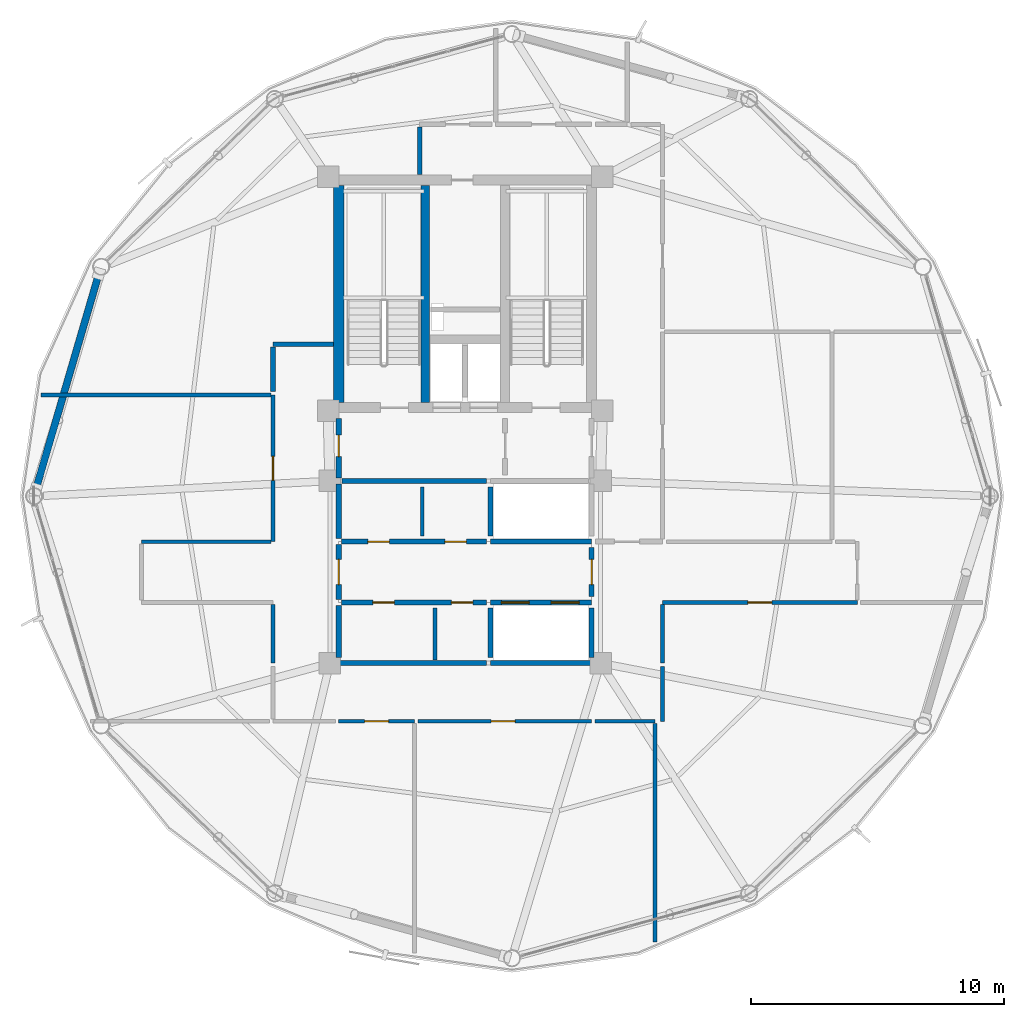
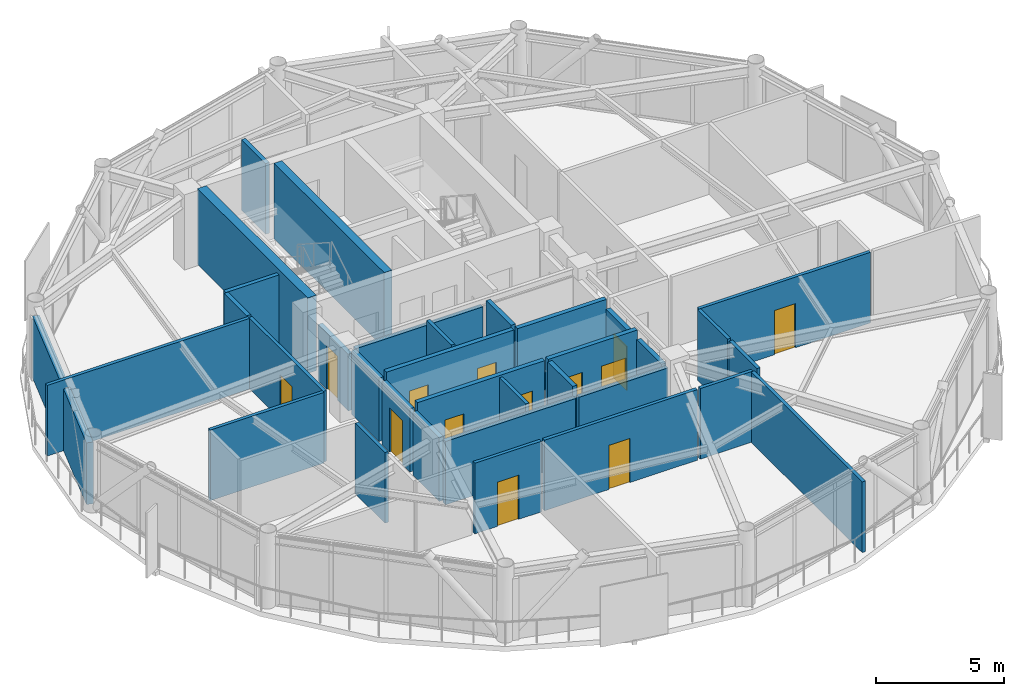
# One storey, part 23 of 28: 34 walls, 13 doors, 13 openings.
"""IFC4 building model written with IfcOpenShell, lengths in metres."""

from ifc_helpers import new_model, si_unit, direction, frame, frame_2d, origin, place, context, subcontext, project, spatial, rectangle, extrude, material, layer, layer_set, type_object, element, fill, save


model = new_model("IFC4")

# Units and contexts
model_context = context("Model", 3, precision=1e-05, world=origin(), true_north=direction((0.0, 1.0)))
body_context = subcontext(model_context, "Body", "Model", "MODEL_VIEW")
ifc_project = project(units=[si_unit("LENGTHUNIT", "METRE"), si_unit("AREAUNIT", "SQUARE_METRE"), si_unit("VOLUMEUNIT", "CUBIC_METRE"), si_unit("PLANEANGLEUNIT", "RADIAN"), si_unit("MASSUNIT", "GRAM", prefix="KILO")], contexts=[model_context])

# Site, building, storey
site_placement = place(None, origin())
site = spatial("IfcSite", under=ifc_project, at=site_placement, CompositionType="ELEMENT")
building_placement = place(site_placement, origin())
building = spatial("IfcBuilding", under=site, at=building_placement, Name="Varnakorn Sky Granary", CompositionType="ELEMENT")
storey_placement = place(building_placement, frame((0.0, 0.0, 225.60009765625)))
storey = spatial("IfcBuildingStorey", under=building, at=storey_placement, Name="L57", CompositionType="ELEMENT", Elevation=225.60009765625)

# Walls
ifc_material_1 = material(Name="Concrete C50/60", Category="concrete")
ifc_layer_1 = layer(ifc_material_1, 0.35009765625, Name="Concrete C50/60")
ifc_layer_set_1 = layer_set([ifc_layer_1], Name="Concrete C50/60")
wall_type_1 = type_object("IfcWallType", Name="WT-CW-INT-350", PredefinedType="SHEAR", material=ifc_layer_set_1)
wall_1_placement = place(storey_placement, frame((1.419921875, 3.7099609375, 0.0), z_axis=(0.0, 0.0, 1.0), x_axis=(0.0, 1.0, 0.0)))
element("IfcWall", 1, at=wall_1_placement, inside=storey, type_object=wall_type_1, Name="Stair ST-1 Core Wall L57", PredefinedType="SHEAR", context=body_context, shape_type="SweptSolid", body=[
    extrude(rectangle(XDim=8.580078125, YDim=0.35009765625, at=frame_2d((4.2900390625, 0.0))), origin(), (0.0, 0.0, 1.0), 3.591796875),
])
ifc_layer_2 = layer(ifc_material_1, 0.39990234375, Name="Concrete C50/60")
ifc_layer_set_2 = layer_set([ifc_layer_2], Name="Concrete C50/60")
wall_type_2 = type_object("IfcWallType", Name="WT-CW-SHEAR-400", PredefinedType="SHEAR", material=ifc_layer_set_2)
wall_2_placement = place(storey_placement, frame((-2.0, 3.7099609375, 0.0), z_axis=(0.0, 0.0, 1.0), x_axis=(0.0, 1.0, 0.0)))
element("IfcWall", 2, at=wall_2_placement, inside=storey, type_object=wall_type_2, Name="Core West Shear Wall L57", PredefinedType="SHEAR", context=body_context, shape_type="SweptSolid", body=[
    extrude(rectangle(XDim=8.580078125, YDim=0.39990234375, at=frame_2d((4.2900390625, 0.0))), origin(), (0.0, 0.0, 1.0), 3.591796875),
])
ifc_material_2 = material(Name="Precast concrete C40/50", Category="concrete")
ifc_layer_3 = layer(ifc_material_2, 0.280029296875, Name="Precast concrete C40/50")
ifc_layer_set_3 = layer_set([ifc_layer_3], Name="Precast concrete C40/50")
wall_type_3 = type_object("IfcWallType", Name="WT-EW-CRN-280", PredefinedType="SOLIDWALL", material=ifc_layer_set_3)
wall_3_placement = place(storey_placement, frame((-13.97216796875, 0.273681640625, 0.0), z_axis=(0.0, 0.0, 1.0), x_axis=(0.280370573109, 0.95989183856, 0.0)))
element("IfcWall", 3, at=wall_3_placement, inside=storey, type_object=wall_type_3, Name="Agritech Insulated Precast Facade Wall L57-P06", PredefinedType="SOLIDWALL", context=body_context, shape_type="SweptSolid", body=[
    extrude(rectangle(XDim=8.87939453125, YDim=0.280029296875, at=frame_2d((4.439697265625, 0.0))), origin(), (0.0, 0.0, 1.0), 2.929931640625),
])

# Wall, opening, door
ifc_material_3 = material(Name="Autoclaved Aerated Concrete Blockwork", Category="masonry")
ifc_layer_4 = layer(ifc_material_3, 0.199951171875, Name="Autoclaved Aerated Concrete Blockwork")
ifc_layer_set_4 = layer_set([ifc_layer_4], Name="Autoclaved Aerated Concrete Blockwork")
wall_type_4 = type_object("IfcWallType", Name="WT-FIRE-200", PredefinedType="MOVABLE", material=ifc_layer_set_4)
wall_4_placement = place(storey_placement, frame((-2.0, 0.719970703125, 0.0), z_axis=(0.0, 0.0, 1.0), x_axis=(0.0, 1.0, 0.0)))
wall_4 = element("IfcWall", 4, at=wall_4_placement, inside=storey, type_object=wall_type_4, Name="Interior Partition Wall L57-012", PredefinedType="MOVABLE", context=body_context, shape_type="SweptSolid", body=[
    extrude(rectangle(XDim=2.35009765625, YDim=0.199951171875, at=frame_2d((1.175048828125, 0.0))), origin(), (0.0, 0.0, 1.0), 2.69189453125),
])
opening_1_placement = place(wall_4_placement, frame((0.844970703125, 0.0, 0.0)))
opening_1 = element("IfcOpeningElement", 5, at=opening_1_placement, cuts=wall_4, Name="Opening FD-60N", PredefinedType="OPENING", context=body_context, shape_type="SweptSolid", body=[
    extrude(rectangle(XDim=0.85009765625, YDim=2.10009765625, at=frame_2d((0.425048828125, 1.050048828125))), frame((0.0, 0.10986328125, 0.0), z_axis=(0.0, -1.0, 0.0), x_axis=(1.0, 0.0, 0.0)), (0.0, 0.0, 1.0), 0.219970703125),
])
ifc_material_4 = material(Name="Acoustic Timber Fire Leaf", Category="wood")
door_type_1 = type_object("IfcDoorType", Name="DR-FD60-850", OperationType="NOTDEFINED", PredefinedType="DOOR", material=ifc_material_4)
door_1_placement = place(opening_1_placement, origin())
door_1 = element("IfcDoor", 6, at=door_1_placement, inside=storey, type_object=door_type_1, Name="Interior Door L57-012-1", OperationType="SINGLE_SWING_LEFT", OverallHeight=2.10009765625, OverallWidth=0.85009765625, PredefinedType="DOOR", context=body_context, shape_type="SweptSolid", body=[
    extrude(rectangle(XDim=0.85009765625, YDim=2.10009765625, at=frame_2d((0.425048828125, 1.050048828125))), frame((0.0, 0.02490234375, 0.0), z_axis=(0.0, -1.0, 0.0), x_axis=(1.0, 0.0, 0.0)), (0.0, 0.0, 1.0), 0.050048828125),
])
fill(opening_1, door_1)

wall_5_placement = place(storey_placement, frame((-2.0, -4.080078125, 0.0), z_axis=(0.0, 0.0, 1.0), x_axis=(0.0, 1.0, 0.0)))
wall_5 = element("IfcWall", 7, at=wall_5_placement, inside=storey, type_object=wall_type_4, Name="Interior Partition Wall L57-014", PredefinedType="MOVABLE", context=body_context, shape_type="SweptSolid", body=[
    extrude(rectangle(XDim=2.16015625, YDim=0.199951171875, at=frame_2d((1.080078125, 0.0))), origin(), (0.0, 0.0, 1.0), 3.011962890625),
])
opening_2_placement = place(wall_5_placement, frame((0.580078125, 0.0, 0.0)))
opening_2 = element("IfcOpeningElement", 8, at=opening_2_placement, cuts=wall_5, Name="Opening FD-60", PredefinedType="OPENING", context=body_context, shape_type="SweptSolid", body=[
    extrude(rectangle(XDim=1.0, YDim=2.10009765625, at=frame_2d((0.5, 1.050048828125))), frame((0.0, 0.10986328125, 0.0), z_axis=(0.0, -1.0, 0.0), x_axis=(1.0, 0.0, 0.0)), (0.0, 0.0, 1.0), 0.219970703125),
])
door_type_2 = type_object("IfcDoorType", Name="DR-FD60-1000", OperationType="NOTDEFINED", PredefinedType="DOOR", material=ifc_material_4)
door_2_placement = place(opening_2_placement, origin())
door_2 = element("IfcDoor", 9, at=door_2_placement, inside=storey, type_object=door_type_2, Name="Interior Door L57-014-1", OperationType="SINGLE_SWING_LEFT", OverallHeight=2.10009765625, OverallWidth=1.0, PredefinedType="DOOR", context=body_context, shape_type="SweptSolid", body=[
    extrude(rectangle(XDim=1.0, YDim=2.10009765625, at=frame_2d((0.5, 1.050048828125))), frame((0.0, 0.02490234375, 0.0), z_axis=(0.0, -1.0, 0.0), x_axis=(1.0, 0.0, 0.0)), (0.0, 0.0, 1.0), 0.050048828125),
])
fill(opening_2, door_2)

wall_6_placement = place(storey_placement, frame((8.0, -3.969970703125, 0.0), z_axis=(0.0, 0.0, 1.0), x_axis=(0.0, 1.0, 0.0)))
wall_6 = element("IfcWall", 10, at=wall_6_placement, inside=storey, type_object=wall_type_4, Name="Interior Partition Wall L57-015", PredefinedType="MOVABLE", context=body_context, shape_type="SweptSolid", body=[
    extrude(rectangle(XDim=1.93994140625, YDim=0.199951171875, at=frame_2d((0.969970703125, 0.0))), origin(), (0.0, 0.0, 1.0), 3.011962890625),
])
opening_3_placement = place(wall_6_placement, frame((0.469970703125, 0.0, 0.0)))
opening_3 = element("IfcOpeningElement", 11, at=opening_3_placement, cuts=wall_6, Name="Opening FD-60", PredefinedType="OPENING", context=body_context, shape_type="SweptSolid", body=[
    extrude(rectangle(XDim=1.0, YDim=2.10009765625, at=frame_2d((0.5, 1.050048828125))), frame((0.0, 0.10986328125, 0.0), z_axis=(0.0, -1.0, 0.0), x_axis=(1.0, 0.0, 0.0)), (0.0, 0.0, 1.0), 0.219970703125),
])
door_3_placement = place(opening_3_placement, origin())
door_3 = element("IfcDoor", 12, at=door_3_placement, inside=storey, type_object=door_type_2, Name="Interior Door L57-015-1", OperationType="SINGLE_SWING_RIGHT", OverallHeight=2.10009765625, OverallWidth=1.0, PredefinedType="DOOR", context=body_context, shape_type="SweptSolid", body=[
    extrude(rectangle(XDim=1.0, YDim=2.10009765625, at=frame_2d((0.5, 1.050048828125))), frame((0.0, 0.02490234375, 0.0), z_axis=(0.0, -1.0, 0.0), x_axis=(1.0, 0.0, 0.0)), (0.0, 0.0, 1.0), 0.050048828125),
])
fill(opening_3, door_3)

# Wall, openings, doors
wall_7_placement = place(storey_placement, frame((-1.889892578125, -1.800048828125, 0.0), z_axis=(0.0, 0.0, 1.0), x_axis=(1.0, 0.0, 0.0)))
wall_7 = element("IfcWall", 13, at=wall_7_placement, inside=storey, type_object=wall_type_4, Name="Interior Partition Wall L57-016", PredefinedType="MOVABLE", context=body_context, shape_type="SweptSolid", body=[
    extrude(rectangle(XDim=5.72998046875, YDim=0.199951171875, at=frame_2d((2.864990234375, 0.0))), origin(), (0.0, 0.0, 1.0), 3.35986328125),
])
opening_4_placement = place(wall_7_placement, frame((1.0400390625, 0.0, 0.0)))
opening_4 = element("IfcOpeningElement", 14, at=opening_4_placement, cuts=wall_7, Name="Opening FD-60N", PredefinedType="OPENING", context=body_context, shape_type="SweptSolid", body=[
    extrude(rectangle(XDim=0.85009765625, YDim=2.10009765625, at=frame_2d((0.425048828125, 1.050048828125))), frame((0.0, 0.10986328125, 0.0), z_axis=(0.0, -1.0, 0.0), x_axis=(1.0, 0.0, 0.0)), (0.0, 0.0, 1.0), 0.219970703125),
])
opening_5_placement = place(wall_7_placement, frame((4.090087890625, 0.0, 0.0)))
opening_5 = element("IfcOpeningElement", 15, at=opening_5_placement, cuts=wall_7, Name="Opening FD-60N", PredefinedType="OPENING", context=body_context, shape_type="SweptSolid", body=[
    extrude(rectangle(XDim=0.85009765625, YDim=2.10009765625, at=frame_2d((0.425048828125, 1.050048828125))), frame((0.0, 0.10986328125, 0.0), z_axis=(0.0, -1.0, 0.0), x_axis=(1.0, 0.0, 0.0)), (0.0, 0.0, 1.0), 0.219970703125),
])
door_4_placement = place(opening_4_placement, origin())
door_4 = element("IfcDoor", 16, at=door_4_placement, inside=storey, type_object=door_type_1, Name="Interior Door L57-016-1", OperationType="SINGLE_SWING_LEFT", OverallHeight=2.10009765625, OverallWidth=0.85009765625, PredefinedType="DOOR", context=body_context, shape_type="SweptSolid", body=[
    extrude(rectangle(XDim=0.85009765625, YDim=2.10009765625, at=frame_2d((0.425048828125, 1.050048828125))), frame((0.0, 0.02490234375, 0.0), z_axis=(0.0, -1.0, 0.0), x_axis=(1.0, 0.0, 0.0)), (0.0, 0.0, 1.0), 0.050048828125),
])
fill(opening_4, door_4)
door_5_placement = place(opening_5_placement, origin())
door_5 = element("IfcDoor", 17, at=door_5_placement, inside=storey, type_object=door_type_1, Name="Interior Door L57-016-2", OperationType="SINGLE_SWING_RIGHT", OverallHeight=2.10009765625, OverallWidth=0.85009765625, PredefinedType="DOOR", context=body_context, shape_type="SweptSolid", body=[
    extrude(rectangle(XDim=0.85009765625, YDim=2.10009765625, at=frame_2d((0.425048828125, 1.050048828125))), frame((0.0, 0.02490234375, 0.0), z_axis=(0.0, -1.0, 0.0), x_axis=(1.0, 0.0, 0.0)), (0.0, 0.0, 1.0), 0.050048828125),
])
fill(opening_5, door_5)

wall_8_placement = place(storey_placement, frame((-1.889892578125, -4.199951171875, 0.0), z_axis=(0.0, 0.0, 1.0), x_axis=(1.0, 0.0, 0.0)))
wall_8 = element("IfcWall", 18, at=wall_8_placement, inside=storey, type_object=wall_type_4, Name="Interior Partition Wall L57-017", PredefinedType="MOVABLE", context=body_context, shape_type="SweptSolid", body=[
    extrude(rectangle(XDim=5.72998046875, YDim=0.199951171875, at=frame_2d((2.864990234375, 0.0))), origin(), (0.0, 0.0, 1.0), 3.35986328125),
])
opening_6_placement = place(wall_8_placement, frame((1.239990234375, 0.0, 0.0)))
opening_6 = element("IfcOpeningElement", 19, at=opening_6_placement, cuts=wall_8, Name="Opening FD-60N", PredefinedType="OPENING", context=body_context, shape_type="SweptSolid", body=[
    extrude(rectangle(XDim=0.85009765625, YDim=2.10009765625, at=frame_2d((0.425048828125, 1.050048828125))), frame((0.0, 0.10986328125, 0.0), z_axis=(0.0, -1.0, 0.0), x_axis=(1.0, 0.0, 0.0)), (0.0, 0.0, 1.0), 0.219970703125),
])
opening_7_placement = place(wall_8_placement, frame((4.340087890625, 0.0, 0.0)))
opening_7 = element("IfcOpeningElement", 20, at=opening_7_placement, cuts=wall_8, Name="Opening FD-60N", PredefinedType="OPENING", context=body_context, shape_type="SweptSolid", body=[
    extrude(rectangle(XDim=0.85009765625, YDim=2.10009765625, at=frame_2d((0.425048828125, 1.050048828125))), frame((0.0, 0.10986328125, 0.0), z_axis=(0.0, -1.0, 0.0), x_axis=(1.0, 0.0, 0.0)), (0.0, 0.0, 1.0), 0.219970703125),
])
door_6_placement = place(opening_6_placement, origin())
door_6 = element("IfcDoor", 21, at=door_6_placement, inside=storey, type_object=door_type_1, Name="Interior Door L57-017-1", OperationType="SINGLE_SWING_LEFT", OverallHeight=2.10009765625, OverallWidth=0.85009765625, PredefinedType="DOOR", context=body_context, shape_type="SweptSolid", body=[
    extrude(rectangle(XDim=0.85009765625, YDim=2.10009765625, at=frame_2d((0.425048828125, 1.050048828125))), frame((0.0, 0.02490234375, 0.0), z_axis=(0.0, -1.0, 0.0), x_axis=(1.0, 0.0, 0.0)), (0.0, 0.0, 1.0), 0.050048828125),
])
fill(opening_6, door_6)
door_7_placement = place(opening_7_placement, origin())
door_7 = element("IfcDoor", 22, at=door_7_placement, inside=storey, type_object=door_type_1, Name="Interior Door L57-017-2", OperationType="SINGLE_SWING_RIGHT", OverallHeight=2.10009765625, OverallWidth=0.85009765625, PredefinedType="DOOR", context=body_context, shape_type="SweptSolid", body=[
    extrude(rectangle(XDim=0.85009765625, YDim=2.10009765625, at=frame_2d((0.425048828125, 1.050048828125))), frame((0.0, 0.02490234375, 0.0), z_axis=(0.0, -1.0, 0.0), x_axis=(1.0, 0.0, 0.0)), (0.0, 0.0, 1.0), 0.050048828125),
])
fill(opening_7, door_7)

# Walls
wall_9_placement = place(storey_placement, frame((-1.8798828125, 0.60009765625, 0.0), z_axis=(0.0, 0.0, 1.0), x_axis=(1.0, 0.0, 0.0)))
element("IfcWall", 23, at=wall_9_placement, inside=storey, type_object=wall_type_4, Name="Interior Partition Wall L57-028", PredefinedType="MOVABLE", context=body_context, shape_type="SweptSolid", body=[
    extrude(rectangle(XDim=5.719970703125, YDim=0.199951171875, at=frame_2d((2.85986328125, 0.0))), origin(), (0.0, 0.0, 1.0), 3.011962890625),
])
wall_10_placement = place(storey_placement, frame((-2.0, -1.679931640625, 0.0), z_axis=(0.0, 0.0, 1.0), x_axis=(0.0, 1.0, 0.0)))
element("IfcWall", 24, at=wall_10_placement, inside=storey, type_object=wall_type_4, Name="Interior Partition Wall L57-030", PredefinedType="MOVABLE", context=body_context, shape_type="SweptSolid", body=[
    extrude(rectangle(XDim=2.159912109375, YDim=0.199951171875, at=frame_2d((1.080078125, 0.0))), origin(), (0.0, 0.0, 1.0), 3.011962890625),
])
wall_11_placement = place(storey_placement, frame((-2.0, -6.60009765625, 0.0), z_axis=(0.0, 0.0, 1.0), x_axis=(1.0, 0.0, 0.0)))
element("IfcWall", 25, at=wall_11_placement, inside=storey, type_object=wall_type_4, Name="Interior Partition Wall L57-032", PredefinedType="MOVABLE", context=body_context, shape_type="SweptSolid", body=[
    extrude(rectangle(XDim=5.840087890625, YDim=0.199951171875, at=frame_2d((2.919921875, 0.0))), origin(), (0.0, 0.0, 1.0), 3.011962890625),
])
wall_12_placement = place(storey_placement, frame((-2.0, -6.3701171875, 0.0), z_axis=(0.0, 0.0, 1.0), x_axis=(0.0, 1.0, 0.0)))
element("IfcWall", 26, at=wall_12_placement, inside=storey, type_object=wall_type_4, Name="Interior Partition Wall L57-033", PredefinedType="MOVABLE", context=body_context, shape_type="SweptSolid", body=[
    extrude(rectangle(XDim=2.050048828125, YDim=0.199951171875, at=frame_2d((1.02490234375, 0.0))), origin(), (0.0, 0.0, 1.0), 3.011962890625),
])

# Wall, opening, door
ifc_material_5 = material(Name="Gypsum Plasterboard on Steel Stud", Category="steel")
ifc_layer_5 = layer(ifc_material_5, 0.14990234375, Name="Gypsum Plasterboard on Steel Stud")
ifc_layer_set_5 = layer_set([ifc_layer_5], Name="Gypsum Plasterboard on Steel Stud")
wall_type_5 = type_object("IfcWallType", Name="WT-PART-150", PredefinedType="PARTITIONING", material=ifc_layer_set_5)
wall_13_placement = place(storey_placement, frame((-2.0, -8.89990234375, 0.0), z_axis=(0.0, 0.0, 1.0), x_axis=(1.0, 0.0, 0.0)))
wall_13 = element("IfcWall", 27, at=wall_13_placement, inside=storey, type_object=wall_type_5, Name="Interior Partition Wall L57-020", PredefinedType="PARTITIONING", context=body_context, shape_type="SweptSolid", body=[
    extrude(rectangle(XDim=3.0, YDim=0.14990234375, at=frame_2d((1.5, 0.0))), origin(), (0.0, 0.0, 1.0), 3.35986328125),
])
opening_8_placement = place(wall_13_placement, frame((1.02490234375, 0.0, 0.0)))
opening_8 = element("IfcOpeningElement", 28, at=opening_8_placement, cuts=wall_13, Name="Opening ID-95", PredefinedType="OPENING", context=body_context, shape_type="SweptSolid", body=[
    extrude(rectangle(XDim=0.949951171875, YDim=2.10009765625, at=frame_2d((0.47509765625, 1.050048828125))), frame((0.0, 0.0849609375, 0.0), z_axis=(0.0, -1.0, 0.0), x_axis=(1.0, 0.0, 0.0)), (0.0, 0.0, 1.0), 0.169921875),
])
ifc_material_6 = material(Name="Solid-Core Teak Veneer Leaf", Category="timber")
door_type_3 = type_object("IfcDoorType", Name="DR-INT-950", OperationType="NOTDEFINED", PredefinedType="DOOR", material=ifc_material_6)
door_8_placement = place(opening_8_placement, origin())
door_8 = element("IfcDoor", 29, at=door_8_placement, inside=storey, type_object=door_type_3, Name="Interior Door L57-020-1", OperationType="SINGLE_SWING_LEFT", OverallHeight=2.10009765625, OverallWidth=0.949951171875, PredefinedType="DOOR", context=body_context, shape_type="SweptSolid", body=[
    extrude(rectangle(XDim=0.949951171875, YDim=2.10009765625, at=frame_2d((0.47509765625, 1.050048828125))), frame((0.0, 0.02490234375, 0.0), z_axis=(0.0, -1.0, 0.0), x_axis=(1.0, 0.0, 0.0)), (0.0, 0.0, 1.0), 0.050048828125),
])
fill(opening_8, door_8)

wall_14_placement = place(storey_placement, frame((1.135009765625, -8.89990234375, 0.0), z_axis=(0.0, 0.0, 1.0), x_axis=(1.0, 0.0, 0.0)))
wall_14 = element("IfcWall", 30, at=wall_14_placement, inside=storey, type_object=wall_type_5, Name="Interior Partition Wall L57-021", PredefinedType="PARTITIONING", context=body_context, shape_type="SweptSolid", body=[
    extrude(rectangle(XDim=6.864990234375, YDim=0.14990234375, at=frame_2d((3.4326171875, 0.0))), origin(), (0.0, 0.0, 1.0), 3.35986328125),
])
opening_9_placement = place(wall_14_placement, frame((2.889892578125, 0.0, 0.0)))
opening_9 = element("IfcOpeningElement", 31, at=opening_9_placement, cuts=wall_14, Name="Opening ID-95", PredefinedType="OPENING", context=body_context, shape_type="SweptSolid", body=[
    extrude(rectangle(XDim=0.949951171875, YDim=2.10009765625, at=frame_2d((0.47509765625, 1.050048828125))), frame((0.0, 0.0849609375, 0.0), z_axis=(0.0, -1.0, 0.0), x_axis=(1.0, 0.0, 0.0)), (0.0, 0.0, 1.0), 0.169921875),
])
door_9_placement = place(opening_9_placement, origin())
door_9 = element("IfcDoor", 32, at=door_9_placement, inside=storey, type_object=door_type_3, Name="Interior Door L57-021-1", OperationType="SINGLE_SWING_RIGHT", OverallHeight=2.10009765625, OverallWidth=0.949951171875, PredefinedType="DOOR", context=body_context, shape_type="SweptSolid", body=[
    extrude(rectangle(XDim=0.949951171875, YDim=2.10009765625, at=frame_2d((0.47509765625, 1.050048828125))), frame((0.0, 0.02490234375, 0.0), z_axis=(0.0, -1.0, 0.0), x_axis=(1.0, 0.0, 0.0)), (0.0, 0.0, 1.0), 0.050048828125),
])
fill(opening_9, door_9)

wall_15_placement = place(storey_placement, frame((10.800048828125, -4.199951171875, 0.0), z_axis=(0.0, 0.0, 1.0), x_axis=(1.0, 0.0, 0.0)))
wall_15 = element("IfcWall", 33, at=wall_15_placement, inside=storey, type_object=wall_type_5, Name="Interior Partition Wall L57-022", PredefinedType="PARTITIONING", context=body_context, shape_type="SweptSolid", body=[
    extrude(rectangle(XDim=7.699951171875, YDim=0.14990234375, at=frame_2d((3.85009765625, 0.0))), origin(), (0.0, 0.0, 1.0), 3.35986328125),
])
opening_10_placement = place(wall_15_placement, frame((3.375, 0.0, 0.0)))
opening_10 = element("IfcOpeningElement", 34, at=opening_10_placement, cuts=wall_15, Name="Opening ID-95", PredefinedType="OPENING", context=body_context, shape_type="SweptSolid", body=[
    extrude(rectangle(XDim=0.949951171875, YDim=2.10009765625, at=frame_2d((0.47509765625, 1.050048828125))), frame((0.0, 0.0849609375, 0.0), z_axis=(0.0, -1.0, 0.0), x_axis=(1.0, 0.0, 0.0)), (0.0, 0.0, 1.0), 0.169921875),
])
door_10_placement = place(opening_10_placement, origin())
door_10 = element("IfcDoor", 35, at=door_10_placement, inside=storey, type_object=door_type_3, Name="Interior Door L57-022-1", OperationType="SINGLE_SWING_LEFT", OverallHeight=2.10009765625, OverallWidth=0.949951171875, PredefinedType="DOOR", context=body_context, shape_type="SweptSolid", body=[
    extrude(rectangle(XDim=0.949951171875, YDim=2.10009765625, at=frame_2d((0.47509765625, 1.050048828125))), frame((0.0, 0.02490234375, 0.0), z_axis=(0.0, -1.0, 0.0), x_axis=(1.0, 0.0, 0.0)), (0.0, 0.0, 1.0), 0.050048828125),
])
fill(opening_10, door_10)

wall_16_placement = place(storey_placement, frame((-4.60009765625, 4.0, 0.0), z_axis=(0.0, 0.0, 1.0), x_axis=(0.0, -1.0, 0.0)))
wall_16 = element("IfcWall", 36, at=wall_16_placement, inside=storey, type_object=wall_type_5, Name="Interior Partition Wall L57-023", PredefinedType="PARTITIONING", context=body_context, shape_type="SweptSolid", body=[
    extrude(rectangle(XDim=5.800048828125, YDim=0.14990234375, at=frame_2d((2.89990234375, 0.0))), origin(), (0.0, 0.0, 1.0), 3.35986328125),
])
opening_11_placement = place(wall_16_placement, frame((2.425048828125, 0.0, 0.0)))
opening_11 = element("IfcOpeningElement", 37, at=opening_11_placement, cuts=wall_16, Name="Opening ID-95", PredefinedType="OPENING", context=body_context, shape_type="SweptSolid", body=[
    extrude(rectangle(XDim=0.949951171875, YDim=2.10009765625, at=frame_2d((0.47509765625, 1.050048828125))), frame((0.0, 0.0849609375, 0.0), z_axis=(0.0, -1.0, 0.0), x_axis=(1.0, 0.0, 0.0)), (0.0, 0.0, 1.0), 0.169921875),
])
door_11_placement = place(opening_11_placement, origin())
door_11 = element("IfcDoor", 38, at=door_11_placement, inside=storey, type_object=door_type_3, Name="Interior Door L57-023-1", OperationType="SINGLE_SWING_RIGHT", OverallHeight=2.10009765625, OverallWidth=0.949951171875, PredefinedType="DOOR", context=body_context, shape_type="SweptSolid", body=[
    extrude(rectangle(XDim=0.949951171875, YDim=2.10009765625, at=frame_2d((0.47509765625, 1.050048828125))), frame((0.0, 0.02490234375, 0.0), z_axis=(0.0, -1.0, 0.0), x_axis=(1.0, 0.0, 0.0)), (0.0, 0.0, 1.0), 0.050048828125),
])
fill(opening_11, door_11)

# Walls
wall_17_placement = place(storey_placement, frame((1.300048828125, -1.570068359375, 0.0), z_axis=(0.0, 0.0, 1.0), x_axis=(0.0, 1.0, 0.0)))
element("IfcWall", 39, at=wall_17_placement, inside=storey, type_object=wall_type_5, Name="Interior Partition Wall L57-029", PredefinedType="PARTITIONING", context=body_context, shape_type="SweptSolid", body=[
    extrude(rectangle(XDim=1.940185546875, YDim=0.14990234375, at=frame_2d((0.97021484375, 0.0))), origin(), (0.0, 0.0, 1.0), 3.35986328125),
])
wall_18_placement = place(storey_placement, frame((1.800048828125, -6.47998046875, 0.0), z_axis=(0.0, 0.0, 1.0), x_axis=(0.0, 1.0, 0.0)))
element("IfcWall", 40, at=wall_18_placement, inside=storey, type_object=wall_type_5, Name="Interior Partition Wall L57-031", PredefinedType="PARTITIONING", context=body_context, shape_type="SweptSolid", body=[
    extrude(rectangle(XDim=2.050048828125, YDim=0.14990234375, at=frame_2d((1.02490234375, 0.0))), origin(), (0.0, 0.0, 1.0), 3.35986328125),
])
wall_19_placement = place(storey_placement, frame((8.135009765625, -8.89990234375, 0.0), z_axis=(0.0, 0.0, 1.0), x_axis=(1.0, 0.0, 0.0)))
element("IfcWall", 41, at=wall_19_placement, inside=storey, type_object=wall_type_5, Name="Interior Partition Wall L57-038", PredefinedType="PARTITIONING", context=body_context, shape_type="SweptSolid", body=[
    extrude(rectangle(XDim=2.364990234375, YDim=0.14990234375, at=frame_2d((1.1826171875, 0.0))), origin(), (0.0, 0.0, 1.0), 3.35986328125),
])
wall_20_placement = place(storey_placement, frame((10.5, -8.985107421875, 0.0), z_axis=(0.0, 0.0, 1.0), x_axis=(0.0, -1.0, 0.0)))
element("IfcWall", 42, at=wall_20_placement, inside=storey, type_object=wall_type_5, Name="Interior Partition Wall L57-039", PredefinedType="PARTITIONING", context=body_context, shape_type="SweptSolid", body=[
    extrude(rectangle(XDim=8.6337890625, YDim=0.14990234375, at=frame_2d((4.31689453125, 0.0))), origin(), (0.0, 0.0, 1.0), 3.35986328125),
])
wall_21_placement = place(storey_placement, frame((10.800048828125, -6.60009765625, 0.0), z_axis=(0.0, 0.0, 1.0), x_axis=(0.0, 1.0, 0.0)))
element("IfcWall", 43, at=wall_21_placement, inside=storey, type_object=wall_type_5, Name="Interior Partition Wall L57-040", PredefinedType="PARTITIONING", context=body_context, shape_type="SweptSolid", body=[
    extrude(rectangle(XDim=2.315185546875, YDim=0.14990234375, at=frame_2d((1.15771484375, 0.0))), origin(), (0.0, 0.0, 1.0), 3.35986328125),
])
wall_22_placement = place(storey_placement, frame((10.800048828125, -8.89990234375, 0.0), z_axis=(0.0, 0.0, 1.0), x_axis=(0.0, 1.0, 0.0)))
element("IfcWall", 44, at=wall_22_placement, inside=storey, type_object=wall_type_5, Name="Interior Partition Wall L57-041", PredefinedType="PARTITIONING", context=body_context, shape_type="SweptSolid", body=[
    extrude(rectangle(XDim=2.164794921875, YDim=0.14990234375, at=frame_2d((1.08251953125, 0.0))), origin(), (0.0, 0.0, 1.0), 3.35986328125),
])
wall_23_placement = place(storey_placement, frame((-4.68505859375, -1.800048828125, 0.0), z_axis=(0.0, 0.0, 1.0), x_axis=(-1.0, 0.0, 0.0)))
element("IfcWall", 45, at=wall_23_placement, inside=storey, type_object=wall_type_5, Name="Interior Partition Wall L57-043", PredefinedType="PARTITIONING", context=body_context, shape_type="SweptSolid", body=[
    extrude(rectangle(XDim=5.114990234375, YDim=0.14990234375, at=frame_2d((2.5576171875, 0.0))), origin(), (0.0, 0.0, 1.0), 3.35986328125),
])
wall_24_placement = place(storey_placement, frame((-4.60009765625, -4.284912109375, 0.0), z_axis=(0.0, 0.0, 1.0), x_axis=(0.0, -1.0, 0.0)))
element("IfcWall", 46, at=wall_24_placement, inside=storey, type_object=wall_type_5, Name="Interior Partition Wall L57-046", PredefinedType="PARTITIONING", context=body_context, shape_type="SweptSolid", body=[
    extrude(rectangle(XDim=2.315185546875, YDim=0.14990234375, at=frame_2d((1.15771484375, 0.0))), origin(), (0.0, 0.0, 1.0), 3.35986328125),
])
wall_25_placement = place(storey_placement, frame((-13.780029296875, 4.0, 0.0), z_axis=(0.0, 0.0, 1.0), x_axis=(1.0, 0.0, 0.0)))
element("IfcWall", 47, at=wall_25_placement, inside=storey, type_object=wall_type_5, Name="Interior Partition Wall L57-048", PredefinedType="PARTITIONING", context=body_context, shape_type="SweptSolid", body=[
    extrude(rectangle(XDim=9.094970703125, YDim=0.14990234375, at=frame_2d((4.54736328125, 0.0))), origin(), (0.0, 0.0, 1.0), 3.35986328125),
])
ifc_material_7 = material(Name="Moisture-Resistant Gypsum on Stud", Category="gypsum")
ifc_layer_6 = layer(ifc_material_7, 0.179931640625, Name="Moisture-Resistant Gypsum on Stud")
ifc_layer_set_6 = layer_set([ifc_layer_6], Name="Moisture-Resistant Gypsum on Stud")
wall_type_6 = type_object("IfcWallType", Name="WT-PLUMB-180", PredefinedType="PLUMBINGWALL", material=ifc_layer_set_6)
wall_26_placement = place(storey_placement, frame((1.199951171875, 14.60009765625, 0.0), z_axis=(0.0, 0.0, 1.0), x_axis=(0.0, -1.0, 0.0)))
element("IfcWall", 48, at=wall_26_placement, inside=storey, type_object=wall_type_6, Name="Interior Partition Wall L57-049", PredefinedType="PLUMBINGWALL", context=body_context, shape_type="SweptSolid", body=[
    extrude(rectangle(XDim=1.89013671875, YDim=0.179931640625, at=frame_2d((0.945068359375, 0.0))), origin(), (0.0, 0.0, 1.0), 3.35986328125),
])
wall_27_placement = place(storey_placement, frame((-2.2099609375, 6.0, 0.0), z_axis=(0.0, 0.0, 1.0), x_axis=(-1.0, 0.0, 0.0)))
element("IfcWall", 49, at=wall_27_placement, inside=storey, type_object=wall_type_6, Name="Interior Partition Wall L57-050", PredefinedType="PLUMBINGWALL", context=body_context, shape_type="SweptSolid", body=[
    extrude(rectangle(XDim=2.39013671875, YDim=0.179931640625, at=frame_2d((1.195068359375, 0.0))), origin(), (0.0, 0.0, 1.0), 3.35986328125),
])
wall_28_placement = place(storey_placement, frame((-4.60009765625, 5.89990234375, 0.0), z_axis=(0.0, 0.0, 1.0), x_axis=(0.0, -1.0, 0.0)))
element("IfcWall", 50, at=wall_28_placement, inside=storey, type_object=wall_type_6, Name="Interior Partition Wall L57-051", PredefinedType="PLUMBINGWALL", context=body_context, shape_type="SweptSolid", body=[
    extrude(rectangle(XDim=1.764892578125, YDim=0.179931640625, at=frame_2d((0.88232421875, 0.0))), origin(), (0.0, 0.0, 1.0), 3.35986328125),
])
ifc_layer_7 = layer(ifc_material_3, 0.199951171875, Name="Autoclaved Aerated Concrete Blockwork")
ifc_layer_set_7 = layer_set([ifc_layer_7], Name="Autoclaved Aerated Concrete Blockwork")
wall_type_7 = type_object("IfcWallType", Name="WT-SHAFT-200", PredefinedType="SOLIDWALL", material=ifc_layer_set_7)
wall_29_placement = place(storey_placement, frame((4.0, -1.800048828125, 0.0), z_axis=(0.0, 0.0, 1.0), x_axis=(1.0, 0.0, 0.0)))
element("IfcWall", 51, at=wall_29_placement, inside=storey, type_object=wall_type_7, Name="Interior Partition Wall L57-004", PredefinedType="SOLIDWALL", context=body_context, shape_type="SweptSolid", body=[
    extrude(rectangle(XDim=4.0, YDim=0.199951171875, at=frame_2d((2.0, 0.0))), origin(), (0.0, 0.0, 1.0), 3.35986328125),
])
wall_30_placement = place(storey_placement, frame((4.0, -1.570068359375, 0.0), z_axis=(0.0, 0.0, 1.0), x_axis=(0.0, 1.0, 0.0)))
element("IfcWall", 52, at=wall_30_placement, inside=storey, type_object=wall_type_7, Name="Interior Partition Wall L57-005", PredefinedType="SOLIDWALL", context=body_context, shape_type="SweptSolid", body=[
    extrude(rectangle(XDim=1.940185546875, YDim=0.199951171875, at=frame_2d((0.97021484375, 0.0))), origin(), (0.0, 0.0, 1.0), 3.35986328125),
])

# Wall, openings, doors
wall_31_placement = place(storey_placement, frame((4.0, -4.199951171875, 0.0), z_axis=(0.0, 0.0, 1.0), x_axis=(1.0, 0.0, 0.0)))
wall_31 = element("IfcWall", 53, at=wall_31_placement, inside=storey, type_object=wall_type_7, Name="Interior Partition Wall L57-007", PredefinedType="SOLIDWALL", context=body_context, shape_type="SweptSolid", body=[
    extrude(rectangle(XDim=4.0, YDim=0.199951171875, at=frame_2d((2.0, 0.0))), origin(), (0.0, 0.0, 1.0), 3.35986328125),
])
opening_12_placement = place(wall_31_placement, frame((0.429931640625, 0.0, 0.0)))
opening_12 = element("IfcOpeningElement", 54, at=opening_12_placement, cuts=wall_31, Name="Opening LD-01", PredefinedType="OPENING", context=body_context, shape_type="SweptSolid", body=[
    extrude(rectangle(XDim=1.10009765625, YDim=2.199951171875, at=frame_2d((0.550048828125, 1.10009765625))), frame((0.0, 0.10986328125, 0.0), z_axis=(0.0, -1.0, 0.0), x_axis=(1.0, 0.0, 0.0)), (0.0, 0.0, 1.0), 0.219970703125),
])
opening_13_placement = place(wall_31_placement, frame((2.39990234375, 0.0, 0.0)))
opening_13 = element("IfcOpeningElement", 55, at=opening_13_placement, cuts=wall_31, Name="Opening LD-01", PredefinedType="OPENING", context=body_context, shape_type="SweptSolid", body=[
    extrude(rectangle(XDim=1.10009765625, YDim=2.199951171875, at=frame_2d((0.550048828125, 1.10009765625))), frame((0.0, 0.10986328125, 0.0), z_axis=(0.0, -1.0, 0.0), x_axis=(1.0, 0.0, 0.0)), (0.0, 0.0, 1.0), 0.219970703125),
])
ifc_material_8 = material(Name="Brushed Bronze Stainless Steel", Category="steel")
door_type_4 = type_object("IfcDoorType", Name="DR-LD-1100", OperationType="DOUBLE_DOOR_SLIDING", PredefinedType="DOOR", material=ifc_material_8)
door_12_placement = place(opening_12_placement, origin())
door_12 = element("IfcDoor", 56, at=door_12_placement, inside=storey, type_object=door_type_4, Name="Passenger Lift PL-H1 Sliding Landing Door L57", OperationType="DOUBLE_DOOR_SLIDING", OverallHeight=2.199951171875, OverallWidth=1.10009765625, PredefinedType="DOOR", context=body_context, shape_type="SweptSolid", body=[
    extrude(rectangle(XDim=1.10009765625, YDim=2.199951171875, at=frame_2d((0.550048828125, 1.10009765625))), frame((0.0, 0.02490234375, 0.0), z_axis=(0.0, -1.0, 0.0), x_axis=(1.0, 0.0, 0.0)), (0.0, 0.0, 1.0), 0.050048828125),
])
fill(opening_12, door_12)
door_13_placement = place(opening_13_placement, origin())
door_13 = element("IfcDoor", 57, at=door_13_placement, inside=storey, type_object=door_type_4, Name="Passenger Lift PL-H2 Sliding Landing Door L57", OperationType="DOUBLE_DOOR_SLIDING", OverallHeight=2.199951171875, OverallWidth=1.10009765625, PredefinedType="DOOR", context=body_context, shape_type="SweptSolid", body=[
    extrude(rectangle(XDim=1.10009765625, YDim=2.199951171875, at=frame_2d((0.550048828125, 1.10009765625))), frame((0.0, 0.02490234375, 0.0), z_axis=(0.0, -1.0, 0.0), x_axis=(1.0, 0.0, 0.0)), (0.0, 0.0, 1.0), 0.050048828125),
])
fill(opening_13, door_13)

# Walls
wall_32_placement = place(storey_placement, frame((4.0, -6.60009765625, 0.0), z_axis=(0.0, 0.0, 1.0), x_axis=(1.0, 0.0, 0.0)))
element("IfcWall", 58, at=wall_32_placement, inside=storey, type_object=wall_type_7, Name="Interior Partition Wall L57-008", PredefinedType="SOLIDWALL", context=body_context, shape_type="SweptSolid", body=[
    extrude(rectangle(XDim=4.0, YDim=0.199951171875, at=frame_2d((2.0, 0.0))), origin(), (0.0, 0.0, 1.0), 3.011962890625),
])
wall_33_placement = place(storey_placement, frame((4.0, -6.3701171875, 0.0), z_axis=(0.0, 0.0, 1.0), x_axis=(0.0, 1.0, 0.0)))
element("IfcWall", 59, at=wall_33_placement, inside=storey, type_object=wall_type_7, Name="Interior Partition Wall L57-009", PredefinedType="SOLIDWALL", context=body_context, shape_type="SweptSolid", body=[
    extrude(rectangle(XDim=1.940185546875, YDim=0.199951171875, at=frame_2d((0.97021484375, 0.0))), origin(), (0.0, 0.0, 1.0), 3.35986328125),
])
wall_34_placement = place(storey_placement, frame((8.0, -6.3701171875, 0.0), z_axis=(0.0, 0.0, 1.0), x_axis=(0.0, 1.0, 0.0)))
element("IfcWall", 60, at=wall_34_placement, inside=storey, type_object=wall_type_7, Name="Interior Partition Wall L57-010", PredefinedType="SOLIDWALL", context=body_context, shape_type="SweptSolid", body=[
    extrude(rectangle(XDim=1.940185546875, YDim=0.199951171875, at=frame_2d((0.97021484375, 0.0))), origin(), (0.0, 0.0, 1.0), 3.011962890625),
])

save(model, "model.ifc")
